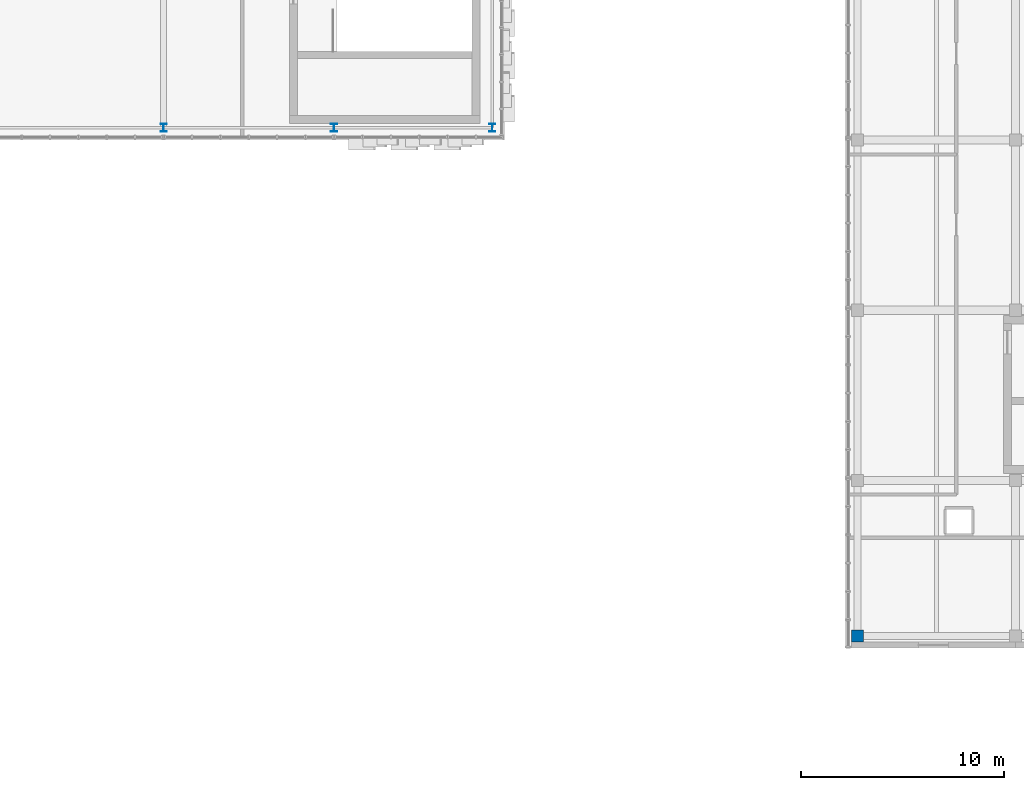
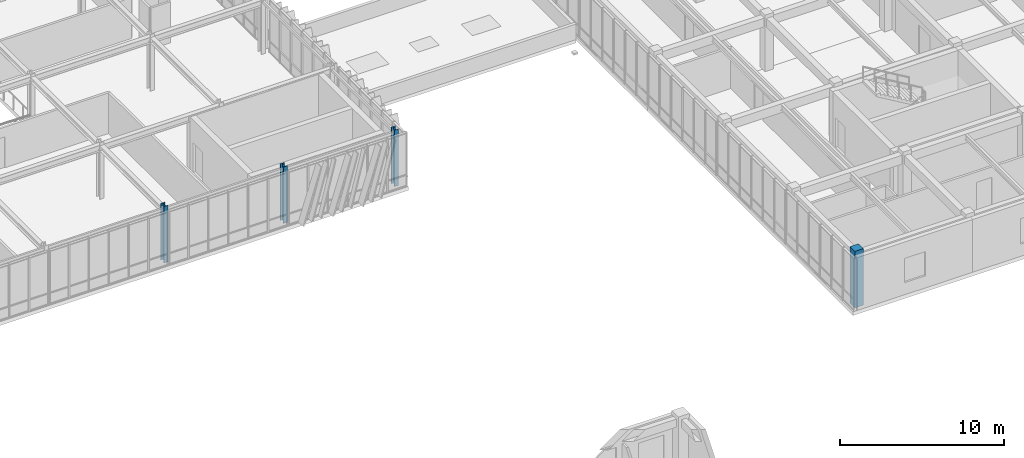
# One storey, part 5 of 123: 4 columns.
"""IFC4 building model written with IfcOpenShell, lengths in metres."""

import ifcopenshell
import ifcopenshell.guid

model = None  # the IFC model being written
_history = None  # IfcOwnerHistory: only IFC2X3 demands one
_inside = {}  # id of a spatial element -> (the spatial element, [elements in it])
_under = {}  # id of a project, library or spatial element -> (it, [spatial elements below it])
_declared = {}  # id of a project -> (the project, [libraries it declares])
_typed = {}  # id of a type object -> (the type object, [elements of that type])
_made_of = {}  # id of a material, layer set ... -> (it, [elements and type objects made of it])


def new_model(schema):
    """Start an empty IFC model of exactly this schema.

    Asked for "IFC4X3", IfcOpenShell would pick the latest addendum, in which some entities
    have other attributes; the version numbers below select the first issue.
    IFC2X3 requires an IfcOwnerHistory on every rooted entity: one is made here for all.
    """
    global model, _history
    if schema == "IFC4X3":
        model = ifcopenshell.file(schema_version=(4, 3, 0, 0))
    else:
        model = ifcopenshell.file(schema=schema)
    _inside.clear()
    _under.clear()
    _declared.clear()
    _typed.clear()
    _made_of.clear()
    _history = None
    if model.schema == "IFC2X3":
        org = make("IfcOrganization", Name="unknown")
        user = make(
            "IfcPersonAndOrganization",
            ThePerson=make("IfcPerson", FamilyName="unknown"),
            TheOrganization=org,
        )
        app = make(
            "IfcApplication",
            ApplicationDeveloper=org,
            Version="unknown",
            ApplicationFullName="unknown",
            ApplicationIdentifier="unknown",
        )
        _history = make(
            "IfcOwnerHistory",
            OwningUser=user,
            OwningApplication=app,
            ChangeAction="ADDED",
            CreationDate=0,
        )
    return model


def make(cls, **values):
    """One entity of the class cls with the attributes given. An attribute that is None is left unset."""
    return model.create_entity(
        cls, **{name: value for name, value in values.items() if value is not None}
    )


def rooted(cls, **values):
    """An entity with a GlobalId (a new one), such as an element, a storey or a relation."""
    return make(cls, GlobalId=ifcopenshell.guid.new(), OwnerHistory=_history, **values)


def si_unit(unit_type, name, prefix=None):
    """IfcSIUnit, for example si_unit("LENGTHUNIT", "METRE", prefix="MILLI")."""
    return make("IfcSIUnit", UnitType=unit_type, Prefix=prefix, Name=name)


def assignment(units):
    """IfcUnitAssignment: the units of a project."""
    return None if units is None else make("IfcUnitAssignment", Units=units)


def point(xyz):
    """IfcCartesianPoint."""
    return None if xyz is None else make("IfcCartesianPoint", Coordinates=xyz)


def direction(xyz):
    """IfcDirection."""
    return None if xyz is None else make("IfcDirection", DirectionRatios=xyz)


def frame(location, z_axis=None, x_axis=None):
    """IfcAxis2Placement3D, a coordinate frame: its origin and axes. An axis left out is left unset."""
    return make(
        "IfcAxis2Placement3D",
        Location=point(location),
        Axis=direction(z_axis),
        RefDirection=direction(x_axis),
    )


def frame_2d(location, x_axis=None):
    """IfcAxis2Placement2D, a coordinate frame in the plane: its origin and x axis."""
    return make(
        "IfcAxis2Placement2D", Location=point(location), RefDirection=direction(x_axis)
    )


def origin():
    """The frame at (0, 0, 0) with its axes left unset."""
    return frame((0.0, 0.0, 0.0))


def origin_2d():
    """The frame at (0, 0) in the plane with its x axis left unset."""
    return frame_2d((0.0, 0.0))


def place(relative_to, where):
    """IfcLocalPlacement: puts the frame where relative to a parent placement (None: the world)."""
    return make(
        "IfcLocalPlacement", PlacementRelTo=relative_to, RelativePlacement=where
    )


def context(
    kind, dimensions, precision=None, world=None, true_north=None, identifier=None
):
    """IfcGeometricRepresentationContext, for example the 3D "Model" context."""
    return make(
        "IfcGeometricRepresentationContext",
        ContextIdentifier=identifier,
        ContextType=kind,
        CoordinateSpaceDimension=dimensions,
        Precision=precision,
        WorldCoordinateSystem=world,
        TrueNorth=true_north,
    )


def subcontext(parent, identifier, kind, view, scale=None):
    """IfcGeometricRepresentationSubContext, for example "Body" below "Model"."""
    return make(
        "IfcGeometricRepresentationSubContext",
        ContextIdentifier=identifier,
        ContextType=kind,
        ParentContext=parent,
        TargetScale=scale,
        TargetView=view,
    )


def project(units=None, contexts=None):
    """IfcProject with its units and contexts."""
    return rooted(
        "IfcProject",
        Name="project",
        RepresentationContexts=contexts,
        UnitsInContext=assignment(units),
    )


def spatial(cls, under=None, at=None, **own):
    """A site, building, storey or space (cls), placed at a placement, below another one or the project."""
    s = rooted(cls, ObjectPlacement=at, **own)
    if under is not None:
        _under.setdefault(under.id(), (under, []))[1].append(s)
    return s


def profile(cls, at=None, kind="AREA", **sizes):
    """A parametric profile (cls). Its sizes go by their IFC names, for example OverallWidth=200.0."""
    return make(cls, ProfileType=kind, Position=at, **sizes)


def rectangle(**sizes):
    """IfcRectangleProfileDef."""
    return profile("IfcRectangleProfileDef", **sizes)


def i_section(**sizes):
    """IfcIShapeProfileDef."""
    return profile("IfcIShapeProfileDef", **sizes)


def extrude(swept, where, along, depth):
    """IfcExtrudedAreaSolid: the profile swept, set in the frame where, extruded along a direction by depth."""
    return make(
        "IfcExtrudedAreaSolid",
        SweptArea=swept,
        Position=where,
        ExtrudedDirection=direction(along),
        Depth=depth,
    )


def shape(context_of_items, identifier, shape_type, items):
    """IfcShapeRepresentation: the items that make up one representation, for example the "Body"."""
    return make(
        "IfcShapeRepresentation",
        ContextOfItems=context_of_items,
        RepresentationIdentifier=identifier,
        RepresentationType=shape_type,
        Items=items,
    )


def material(Name=None, Category=None):
    """IfcMaterial."""
    return make("IfcMaterial", Name=Name, Category=Category)


def material_profile(
    of_material, cross_section, Name=None, Category=None, Priority=None
):
    """IfcMaterialProfile: a cross section and its material."""
    return make(
        "IfcMaterialProfile",
        Name=Name,
        Material=of_material,
        Profile=cross_section,
        Priority=Priority,
        Category=Category,
    )


def profile_set(profiles, Name=None, composite=None):
    """IfcMaterialProfileSet."""
    return make(
        "IfcMaterialProfileSet",
        Name=Name,
        MaterialProfiles=profiles,
        CompositeProfile=composite,
    )


def made_of(thing, what):
    """Note that an element or type object is made of a material, layer set ...; save() writes the relation."""
    if what is not None:
        _made_of.setdefault(what.id(), (what, []))[1].append(thing)
    return thing


def type_object(cls, material=None, **own):
    """A type object (cls), such as IfcWallType, which elements share."""
    return made_of(rooted(cls, **own), material)


def element(
    cls,
    number,
    at=None,
    inside=None,
    cuts=None,
    type_object=None,
    material=None,
    context=None,
    identifier="Body",
    shape_type=None,
    held_by="IfcProductDefinitionShape",
    body=None,
    shapes=None,
    **own,
):
    """One element of the class cls, such as IfcWall. Its Tag is "e" and its number.

    at: its placement. inside: the storey or other place that contains it. cuts: it is an
    opening in that element (IfcRelVoidsElement). A single representation is given by context,
    identifier, shape_type and body (its items); several are given by shapes. held_by: the class
    of the entity that holds the representations. save() writes the other relations.
    """
    e = rooted(cls, Tag="e%d" % number, ObjectPlacement=at, **own)
    if body is not None:
        shapes = [shape(context, identifier, shape_type, body)]
    if shapes is not None:
        e.Representation = make(held_by, Representations=shapes)
    if inside is not None:
        _inside.setdefault(inside.id(), (inside, []))[1].append(e)
    if cuts is not None:
        rooted(
            "IfcRelVoidsElement", RelatingBuildingElement=cuts, RelatedOpeningElement=e
        )
    if type_object is not None:
        _typed.setdefault(type_object.id(), (type_object, []))[1].append(e)
    return made_of(e, material)


def aggregate(whole, parts):
    """IfcRelAggregates: a whole, such as a stair, and the parts it consists of."""
    return rooted("IfcRelAggregates", RelatingObject=whole, RelatedObjects=parts)


def save(model, path):
    """Write the relations noted so far, then the file.

    IfcRelAggregates (storeys below a building ...), IfcRelContainedInSpatialStructure (elements
    in a storey), IfcRelDefinesByType, IfcRelAssociatesMaterial and IfcRelDeclares: one each for
    every whole, place, type object, material and project.
    """
    for whole, parts in _under.values():
        aggregate(whole, parts)
    for where, things in _inside.values():
        rooted(
            "IfcRelContainedInSpatialStructure",
            RelatedElements=things,
            RelatingStructure=where,
        )
    for kind, things in _typed.values():
        rooted("IfcRelDefinesByType", RelatedObjects=things, RelatingType=kind)
    for what, things in _made_of.values():
        rooted("IfcRelAssociatesMaterial", RelatedObjects=things, RelatingMaterial=what)
    for by, libraries in _declared.values():
        rooted("IfcRelDeclares", RelatingContext=by, RelatedDefinitions=libraries)
    model.write(path)


model = new_model("IFC4")

# Units and contexts
model_context = context("Model", 3, precision=1e-05, world=origin(), true_north=direction((0.0, 1.0)))
body_context = subcontext(model_context, "Body", "Model", "MODEL_VIEW")
ifc_project = project(units=[si_unit("LENGTHUNIT", "METRE"), si_unit("AREAUNIT", "SQUARE_METRE"), si_unit("VOLUMEUNIT", "CUBIC_METRE"), si_unit("PLANEANGLEUNIT", "RADIAN"), si_unit("MASSUNIT", "GRAM", prefix="KILO")], contexts=[model_context])

# Site, building, storey
site_placement = place(None, origin())
site = spatial("IfcSite", under=ifc_project, at=site_placement, CompositionType="ELEMENT")
building_placement = place(site_placement, origin())
building = spatial("IfcBuilding", under=site, at=building_placement, Name="Zayran Congress Hotel", CompositionType="ELEMENT")
storey_placement = place(building_placement, frame((0.0, 0.0, 15.0)))
storey = spatial("IfcBuildingStorey", under=building, at=storey_placement, Name="L03", CompositionType="ELEMENT", Elevation=15.0)

# Columns
ifc_material_1 = material(Name="Concrete C40/50", Category="concrete")
ifc_material_profile_1 = material_profile(ifc_material_1, rectangle(XDim=0.60009765625, YDim=0.60009765625, at=origin_2d()), Name="RC 600x600")
ifc_profile_set_1 = profile_set([ifc_material_profile_1], Name="Concrete C40/50")
column_type_1 = type_object("IfcColumnType", Name="TP-CL-04", PredefinedType="COLUMN", material=ifc_profile_set_1)
column_placement = place(storey_placement, frame((109.800048828125, 43.14990234375, 0.0), z_axis=(0.0, 0.0, 1.0), x_axis=(1.0, 0.0, 0.0)))
element("IfcColumn", 1, at=column_placement, inside=storey, type_object=column_type_1, Name="COL-V4-L03-0829", PredefinedType="COLUMN", context=body_context, shape_type="SweptSolid", body=[
    extrude(rectangle(XDim=0.60009765625, YDim=0.60009765625, at=origin_2d()), origin(), (0.0, 0.0, 1.0), 4.199951171875),
])
ifc_material_2 = material(Name="Steel S355", Category="steel")
ifc_material_profile_2 = material_profile(ifc_material_2, i_section(OverallWidth=0.300048828125, OverallDepth=0.39990234375, WebThickness=0.013427734375, FlangeThickness=0.02392578125, at=origin_2d()), Name="HEB 400")
ifc_profile_set_2 = profile_set([ifc_material_profile_2], Name="Steel S355")
column_type_2 = type_object("IfcColumnType", Name="TP-CL-07", PredefinedType="COLUMN", material=ifc_profile_set_2)
for number, where, z_axis, x_axis, name in (
    (2, (75.60009765625, 68.199951171875, 0.0), (0.0, 0.0, 1.0), (1.0, 0.0, 0.0), "COL-V1-L03-0500"),
    (3, (84.0, 68.199951171875, 0.0), (0.0, 0.0, 1.0), (1.0, 0.0, 0.0), "COL-V1-L03-0507"),
    (4, (91.800048828125, 68.199951171875, 0.0), (0.0, 0.0, 1.0), (1.0, 0.0, 0.0), "COL-V1-L03-0514"),
):
    element("IfcColumn", number, at=place(storey_placement, frame(where, z_axis=z_axis, x_axis=x_axis)), inside=storey, type_object=column_type_2, Name=name, PredefinedType="COLUMN", context=body_context, shape_type="SweptSolid", body=[
        extrude(i_section(OverallWidth=0.300048828125, OverallDepth=0.39990234375, WebThickness=0.013427734375, FlangeThickness=0.02392578125, at=origin_2d()), origin(), (0.0, 0.0, 1.0), 4.199951171875),
    ])

save(model, "model.ifc")
